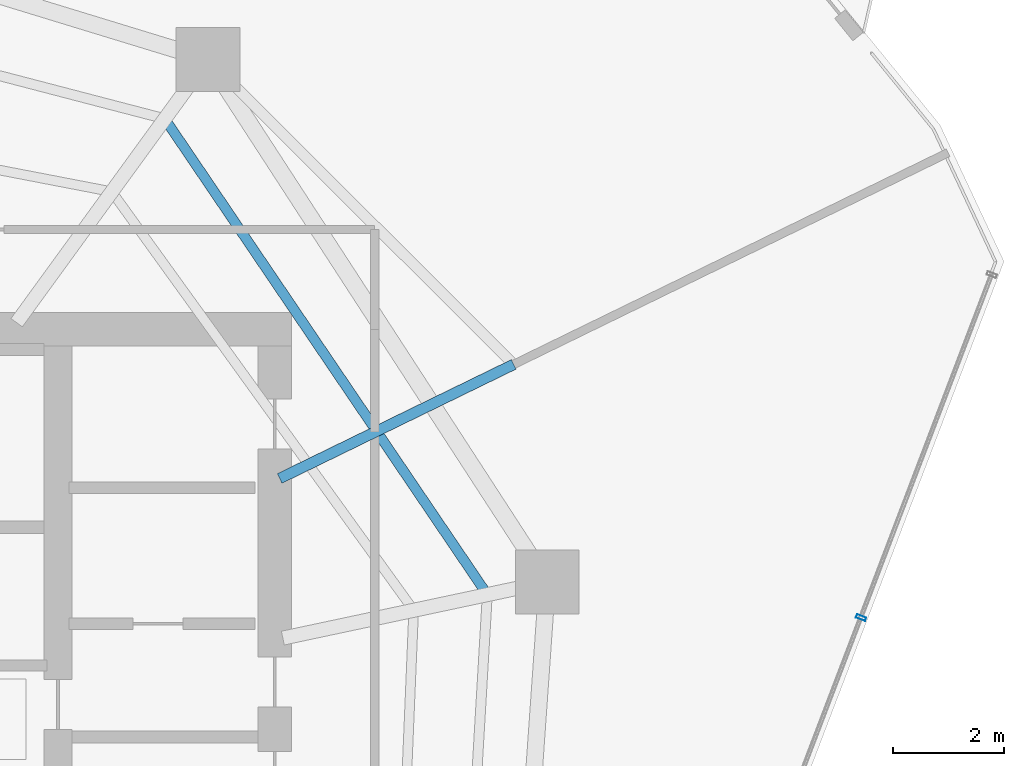
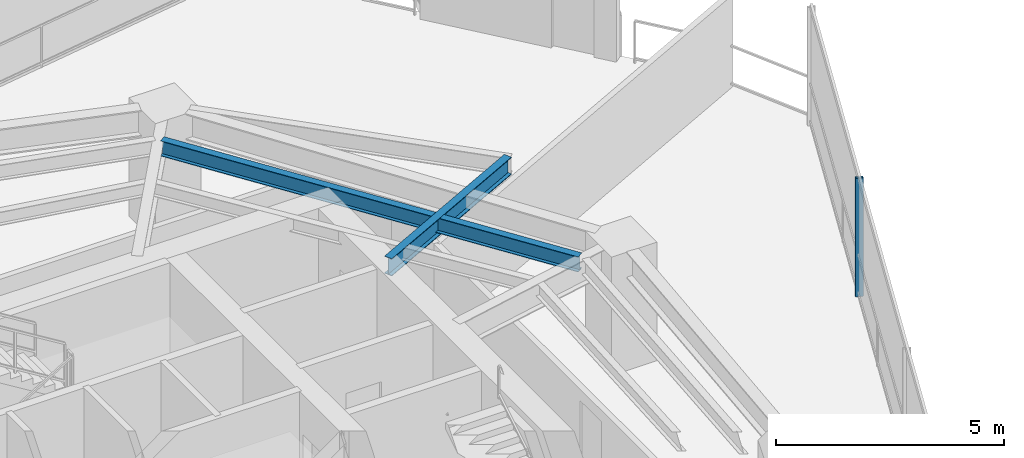
# One storey, part 15 of 27: 2 beams, 1 member, 1 element without a shape of its own.
"""IFC4 building model written with IfcOpenShell, lengths in metres."""

from ifc_helpers import new_model, si_unit, direction, frame, origin, origin_2d, place, context, subcontext, project, spatial, hollow_rectangle, i_section, extrude, material, layer, layer_set, material_profile, profile_set, type_object, element, aggregate, save


model = new_model("IFC4")

# Units and contexts
model_context = context("Model", 3, precision=1e-05, world=origin(), true_north=direction((0.0, 1.0)))
body_context = subcontext(model_context, "Body", "Model", "MODEL_VIEW")
ifc_project = project(units=[si_unit("LENGTHUNIT", "METRE"), si_unit("AREAUNIT", "SQUARE_METRE"), si_unit("VOLUMEUNIT", "CUBIC_METRE"), si_unit("PLANEANGLEUNIT", "RADIAN"), si_unit("MASSUNIT", "GRAM", prefix="KILO")], contexts=[model_context])

# Site, building, storey
site_placement = place(None, origin())
site = spatial("IfcSite", under=ifc_project, at=site_placement, CompositionType="ELEMENT")
building_placement = place(site_placement, origin())
building = spatial("IfcBuilding", under=site, at=building_placement, Name="Qarnah Convention Tower", CompositionType="ELEMENT")
storey_placement = place(building_placement, frame((0.0, 0.0, 100.5)))
storey = spatial("IfcBuildingStorey", under=building, at=storey_placement, Name="L26", CompositionType="ELEMENT", Elevation=100.5)

# Beams
ifc_material_1 = material(Name="Structural steel S355JR", Category="steel")
ifc_material_profile_1 = material_profile(ifc_material_1, i_section(OverallWidth=0.19189453125, OverallDepth=0.464111328125, WebThickness=0.010986328125, FlangeThickness=0.01806640625, at=origin_2d()), Name="W460X89")
ifc_profile_set_1 = profile_set([ifc_material_profile_1], Name="Structural steel S355JR")
beam_type_1 = type_object("IfcBeamType", Name="BM-CANT-W460A", PredefinedType="BEAM", material=ifc_profile_set_1)
beam_1_placement = place(storey_placement, frame((47.68994140625, 31.51611328125, 2.93798828125), z_axis=(0.898872044655, 0.438211190339, 0.0), x_axis=(-0.438211190339, 0.898872044655, 0.0)))
element("IfcBeam", 1, at=beam_1_placement, inside=storey, type_object=beam_type_1, Name="L26 beam BM-L26-CNT-01-2", PredefinedType="BEAM", context=body_context, shape_type="SweptSolid", body=[
    extrude(i_section(OverallWidth=0.19189453125, OverallDepth=0.464111328125, WebThickness=0.010986328125, FlangeThickness=0.01806640625, at=origin_2d()), origin(), (0.0, 0.0, 1.0), 4.687255859375),
])
ifc_material_profile_2 = material_profile(ifc_material_1, i_section(OverallWidth=0.177978515625, OverallDepth=0.407958984375, WebThickness=0.008056640625, FlangeThickness=0.012939453125, at=origin_2d()), Name="W410X60")
ifc_profile_set_2 = profile_set([ifc_material_profile_2], Name="Structural steel S355JR")
beam_type_2 = type_object("IfcBeamType", Name="BM-JST-W410", PredefinedType="JOIST", material=ifc_profile_set_2)
beam_2_placement = place(storey_placement, frame((51.3779296875, 29.5, 2.966064453125), z_axis=(-0.561116205741, 0.827737037745, 0.0), x_axis=(-0.827737037745, -0.561116205741, 0.0)))
element("IfcBeam", 2, at=beam_2_placement, inside=storey, type_object=beam_type_2, Name="L26 joist BM-L26-SJST-01", PredefinedType="JOIST", context=body_context, shape_type="SweptSolid", body=[
    extrude(i_section(OverallWidth=0.177978515625, OverallDepth=0.407958984375, WebThickness=0.008056640625, FlangeThickness=0.012939453125, at=origin_2d()), origin(), (0.0, 0.0, 1.0), 10.168701171875),
])

# Curtain wall, member
ifc_material_2 = material(Name="Tempered Low-E dark glass", Category="glass")
ifc_layer = layer(ifc_material_2, 0.169921875)
ifc_layer_set = layer_set([ifc_layer], Name="Tempered Low-E dark glass")
curtain_wall_type = type_object("IfcCurtainWallType", Name="CWS-02", PredefinedType="NOTDEFINED", material=ifc_layer_set)
curtain_wall_placement = place(storey_placement, origin())
curtain_wall = element("IfcCurtainWall", 3, at=curtain_wall_placement, inside=storey, type_object=curtain_wall_type, Name="L26 unitised curtain wall CW-L26-F1", PredefinedType="NOTDEFINED")
ifc_material_3 = material(Name="Black anodised aluminium", Category="aluminium")
ifc_material_profile_3 = material_profile(ifc_material_3, hollow_rectangle(XDim=0.06494140625, YDim=0.179931640625, WallThickness=0.00390625, at=origin_2d()), Name="MUL-65X180")
ifc_profile_set_3 = profile_set([ifc_material_profile_3], Name="Black anodised aluminium")
member_type = type_object("IfcMemberType", Name="MUL-T2", PredefinedType="MULLION", material=ifc_profile_set_3)
member_placement = place(storey_placement, frame((58.156982421875, 29.01123046875, 0.0), z_axis=(0.0, 0.0, 1.0), x_axis=(-0.356401833509, -0.934332774268, 0.0)))
member = element("IfcMember", 4, at=member_placement, type_object=member_type, Name="CW-L26-F1 mullion 2", PredefinedType="MULLION", context=body_context, shape_type="SweptSolid", body=[
    extrude(hollow_rectangle(XDim=0.06494140625, YDim=0.179931640625, WallThickness=0.00390625, at=origin_2d()), origin(), (0.0, 0.0, 1.0), 3.169921875),
])
aggregate(curtain_wall, [member])

save(model, "model.ifc")
